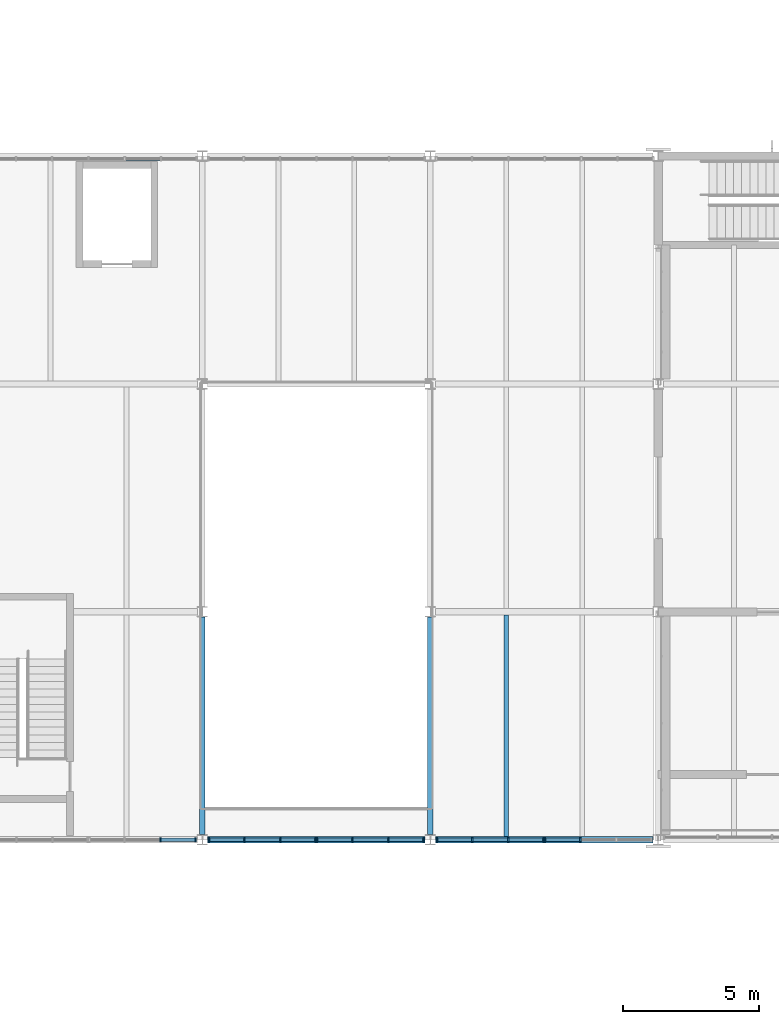
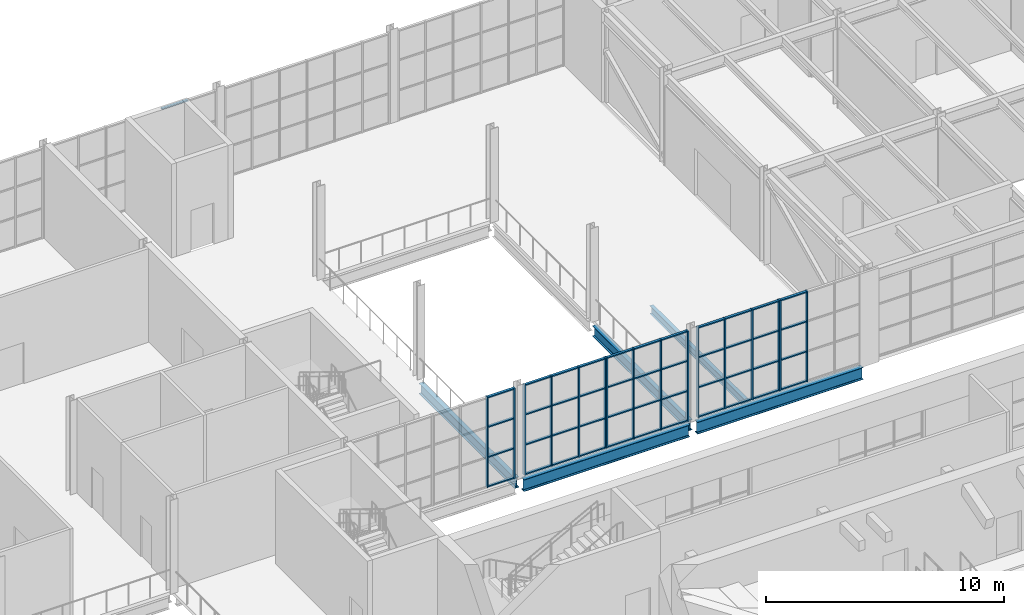
# One storey, part 41 of 127: 61 members, 5 beams, 6 elements without a shape of their own.
"""IFC4 building model written with IfcOpenShell, lengths in metres."""

from ifc_helpers import new_model, si_unit, direction, frame, origin, origin_2d, place, context, subcontext, project, spatial, rectangle, i_section, extrude, material, material_profile, profile_set, type_object, element, aggregate, save


model = new_model("IFC4")

# Units and contexts
model_context = context("Model", 3, precision=1e-05, world=origin(), true_north=direction((0.0, 1.0)))
body_context = subcontext(model_context, "Body", "Model", "MODEL_VIEW")
ifc_project = project(units=[si_unit("LENGTHUNIT", "METRE"), si_unit("AREAUNIT", "SQUARE_METRE"), si_unit("VOLUMEUNIT", "CUBIC_METRE"), si_unit("PLANEANGLEUNIT", "RADIAN"), si_unit("MASSUNIT", "GRAM", prefix="KILO")], contexts=[model_context])

# Site, building, storey
site_placement = place(None, origin())
site = spatial("IfcSite", under=ifc_project, at=site_placement, CompositionType="ELEMENT")
building_placement = place(site_placement, origin())
building = spatial("IfcBuilding", under=site, at=building_placement, Name="Ljudholm Concert House", CompositionType="ELEMENT")
storey_placement = place(building_placement, frame((0.0, 0.0, 5.39990234375)))
storey = spatial("IfcBuildingStorey", under=building, at=storey_placement, Name="L01", CompositionType="ELEMENT", Elevation=5.39990234375)

# Curtain wall, members
ifc_material_1 = material(Name="Aluminium curtain wall with impact-rated laminated glass", Category="aluminium")
curtain_wall_type = type_object("IfcCurtainWallType", Name="CURTAIN WALL 1400", PredefinedType="NOTDEFINED", material=ifc_material_1)
curtain_wall_1_placement = place(storey_placement, origin())
curtain_wall_1 = element("IfcCurtainWall", 1, at=curtain_wall_1_placement, inside=storey, type_object=curtain_wall_type, Name="Winter garden curtain wall", PredefinedType="NOTDEFINED")
ifc_material_2 = material(Name="Aluminium extrusion", Category="aluminium")
ifc_material_profile_1 = material_profile(ifc_material_2, rectangle(XDim=0.159912109375, YDim=0.06005859375, at=origin_2d()), Name="MULLION 60x160")
ifc_profile_set_1 = profile_set([ifc_material_profile_1], Name="Aluminium extrusion")
member_type_1 = type_object("IfcMemberType", Name="MULLION 60x160", PredefinedType="MULLION", material=ifc_profile_set_1)
member_1_placement = place(storey_placement, frame((36.05322265625, 104.800048828125, 0.0), z_axis=(0.0, 0.0, 1.0), x_axis=(0.0, 1.0, 0.0)))
member_1 = element("IfcMember", 2, at=member_1_placement, type_object=member_type_1, Name="Mullion", PredefinedType="MULLION", context=body_context, shape_type="SweptSolid", body=[
    extrude(rectangle(XDim=0.159912109375, YDim=0.06005859375, at=origin_2d()), origin(), (0.0, 0.0, 1.0), 4.6201171875),
])
member_2_placement = place(storey_placement, frame((37.35009765625, 104.800048828125, 0.0), z_axis=(0.0, 0.0, 1.0), x_axis=(0.0, 1.0, 0.0)))
member_2 = element("IfcMember", 3, at=member_2_placement, type_object=member_type_1, Name="Mullion", PredefinedType="MULLION", context=body_context, shape_type="SweptSolid", body=[
    extrude(rectangle(XDim=0.159912109375, YDim=0.06005859375, at=origin_2d()), origin(), (0.0, 0.0, 1.0), 4.6201171875),
])

curtain_wall_2_placement = place(storey_placement, origin())
curtain_wall_2 = element("IfcCurtainWall", 4, at=curtain_wall_2_placement, inside=storey, type_object=curtain_wall_type, Name="Winter garden curtain wall", PredefinedType="NOTDEFINED")
member_3_placement = place(storey_placement, frame((37.85009765625, 104.800048828125, 0.0), z_axis=(0.0, 0.0, 1.0), x_axis=(0.0, 1.0, 0.0)))
member_3 = element("IfcMember", 5, at=member_3_placement, type_object=member_type_1, Name="Mullion", PredefinedType="MULLION", context=body_context, shape_type="SweptSolid", body=[
    extrude(rectangle(XDim=0.159912109375, YDim=0.06005859375, at=origin_2d()), origin(), (0.0, 0.0, 1.0), 4.6201171875),
])
member_4_placement = place(storey_placement, frame((39.146728515625, 104.800048828125, 0.0), z_axis=(0.0, 0.0, 1.0), x_axis=(0.0, 1.0, 0.0)))
member_4 = element("IfcMember", 6, at=member_4_placement, type_object=member_type_1, Name="Mullion", PredefinedType="MULLION", context=body_context, shape_type="SweptSolid", body=[
    extrude(rectangle(XDim=0.159912109375, YDim=0.06005859375, at=origin_2d()), origin(), (0.0, 0.0, 1.0), 4.6201171875),
])
member_5_placement = place(storey_placement, frame((40.473388671875, 104.800048828125, 0.0), z_axis=(0.0, 0.0, 1.0), x_axis=(0.0, 1.0, 0.0)))
member_5 = element("IfcMember", 7, at=member_5_placement, type_object=member_type_1, Name="Mullion", PredefinedType="MULLION", context=body_context, shape_type="SweptSolid", body=[
    extrude(rectangle(XDim=0.159912109375, YDim=0.06005859375, at=origin_2d()), origin(), (0.0, 0.0, 1.0), 4.6201171875),
])
member_6_placement = place(storey_placement, frame((41.77001953125, 104.800048828125, 0.0), z_axis=(0.0, 0.0, 1.0), x_axis=(0.0, 1.0, 0.0)))
member_6 = element("IfcMember", 8, at=member_6_placement, type_object=member_type_1, Name="Mullion", PredefinedType="MULLION", context=body_context, shape_type="SweptSolid", body=[
    extrude(rectangle(XDim=0.159912109375, YDim=0.06005859375, at=origin_2d()), origin(), (0.0, 0.0, 1.0), 4.6201171875),
])

curtain_wall_3_placement = place(storey_placement, origin())
curtain_wall_3 = element("IfcCurtainWall", 9, at=curtain_wall_3_placement, inside=storey, type_object=curtain_wall_type, Name="Winter garden curtain wall", PredefinedType="NOTDEFINED")
member_7_placement = place(storey_placement, frame((41.830078125, 104.800048828125, 0.0), z_axis=(0.0, 0.0, 1.0), x_axis=(0.0, 1.0, 0.0)))
member_7 = element("IfcMember", 10, at=member_7_placement, type_object=member_type_1, Name="Mullion", PredefinedType="MULLION", context=body_context, shape_type="SweptSolid", body=[
    extrude(rectangle(XDim=0.159912109375, YDim=0.06005859375, at=origin_2d()), origin(), (0.0, 0.0, 1.0), 4.6201171875),
])
member_8_placement = place(storey_placement, frame((43.126708984375, 104.800048828125, 0.0), z_axis=(0.0, 0.0, 1.0), x_axis=(0.0, 1.0, 0.0)))
member_8 = element("IfcMember", 11, at=member_8_placement, type_object=member_type_1, Name="Mullion", PredefinedType="MULLION", context=body_context, shape_type="SweptSolid", body=[
    extrude(rectangle(XDim=0.159912109375, YDim=0.06005859375, at=origin_2d()), origin(), (0.0, 0.0, 1.0), 4.6201171875),
])
member_9_placement = place(storey_placement, frame((44.453369140625, 104.800048828125, 0.0), z_axis=(0.0, 0.0, 1.0), x_axis=(0.0, 1.0, 0.0)))
member_9 = element("IfcMember", 12, at=member_9_placement, type_object=member_type_1, Name="Mullion", PredefinedType="MULLION", context=body_context, shape_type="SweptSolid", body=[
    extrude(rectangle(XDim=0.159912109375, YDim=0.06005859375, at=origin_2d()), origin(), (0.0, 0.0, 1.0), 4.6201171875),
])
member_10_placement = place(storey_placement, frame((45.75, 104.800048828125, 0.0), z_axis=(0.0, 0.0, 1.0), x_axis=(0.0, 1.0, 0.0)))
member_10 = element("IfcMember", 13, at=member_10_placement, type_object=member_type_1, Name="Mullion", PredefinedType="MULLION", context=body_context, shape_type="SweptSolid", body=[
    extrude(rectangle(XDim=0.159912109375, YDim=0.06005859375, at=origin_2d()), origin(), (0.0, 0.0, 1.0), 4.6201171875),
])

curtain_wall_4_placement = place(storey_placement, origin())
curtain_wall_4 = element("IfcCurtainWall", 14, at=curtain_wall_4_placement, inside=storey, type_object=curtain_wall_type, Name="Winter garden curtain wall", PredefinedType="NOTDEFINED")
member_11_placement = place(storey_placement, frame((46.25, 104.800048828125, 0.0), z_axis=(0.0, 0.0, 1.0), x_axis=(0.0, 1.0, 0.0)))
member_11 = element("IfcMember", 15, at=member_11_placement, type_object=member_type_1, Name="Mullion", PredefinedType="MULLION", context=body_context, shape_type="SweptSolid", body=[
    extrude(rectangle(XDim=0.159912109375, YDim=0.06005859375, at=origin_2d()), origin(), (0.0, 0.0, 1.0), 4.6201171875),
])
member_12_placement = place(storey_placement, frame((47.546630859375, 104.800048828125, 0.0), z_axis=(0.0, 0.0, 1.0), x_axis=(0.0, 1.0, 0.0)))
member_12 = element("IfcMember", 16, at=member_12_placement, type_object=member_type_1, Name="Mullion", PredefinedType="MULLION", context=body_context, shape_type="SweptSolid", body=[
    extrude(rectangle(XDim=0.159912109375, YDim=0.06005859375, at=origin_2d()), origin(), (0.0, 0.0, 1.0), 4.6201171875),
])
member_13_placement = place(storey_placement, frame((48.873291015625, 104.800048828125, 0.0), z_axis=(0.0, 0.0, 1.0), x_axis=(0.0, 1.0, 0.0)))
member_13 = element("IfcMember", 17, at=member_13_placement, type_object=member_type_1, Name="Mullion", PredefinedType="MULLION", context=body_context, shape_type="SweptSolid", body=[
    extrude(rectangle(XDim=0.159912109375, YDim=0.06005859375, at=origin_2d()), origin(), (0.0, 0.0, 1.0), 4.6201171875),
])
member_14_placement = place(storey_placement, frame((50.169921875, 104.800048828125, 0.0), z_axis=(0.0, 0.0, 1.0), x_axis=(0.0, 1.0, 0.0)))
member_14 = element("IfcMember", 18, at=member_14_placement, type_object=member_type_1, Name="Mullion", PredefinedType="MULLION", context=body_context, shape_type="SweptSolid", body=[
    extrude(rectangle(XDim=0.159912109375, YDim=0.06005859375, at=origin_2d()), origin(), (0.0, 0.0, 1.0), 4.6201171875),
])

curtain_wall_5_placement = place(storey_placement, origin())
curtain_wall_5 = element("IfcCurtainWall", 19, at=curtain_wall_5_placement, inside=storey, type_object=curtain_wall_type, Name="Winter garden curtain wall", PredefinedType="NOTDEFINED")
member_15_placement = place(storey_placement, frame((50.22998046875, 104.800048828125, 0.0), z_axis=(0.0, 0.0, 1.0), x_axis=(0.0, 1.0, 0.0)))
member_15 = element("IfcMember", 20, at=member_15_placement, type_object=member_type_1, Name="Mullion", PredefinedType="MULLION", context=body_context, shape_type="SweptSolid", body=[
    extrude(rectangle(XDim=0.159912109375, YDim=0.06005859375, at=origin_2d()), origin(), (0.0, 0.0, 1.0), 4.6201171875),
])
member_16_placement = place(storey_placement, frame((51.526611328125, 104.800048828125, 0.0), z_axis=(0.0, 0.0, 1.0), x_axis=(0.0, 1.0, 0.0)))
member_16 = element("IfcMember", 21, at=member_16_placement, type_object=member_type_1, Name="Mullion", PredefinedType="MULLION", context=body_context, shape_type="SweptSolid", body=[
    extrude(rectangle(XDim=0.159912109375, YDim=0.06005859375, at=origin_2d()), origin(), (0.0, 0.0, 1.0), 4.6201171875),
])

# Beams
ifc_material_3 = material(Name="Steel ASTM A992", Category="steel")
ifc_material_profile_2 = material_profile(ifc_material_3, i_section(OverallWidth=0.177734375, OverallDepth=0.406494140625, WebThickness=0.0078125, FlangeThickness=0.012939453125, FilletRadius=0.01025390625, at=origin_2d()), Name="W16X40")
ifc_profile_set_2 = profile_set([ifc_material_profile_2], Name="Steel ASTM A992")
beam_type_1 = type_object("IfcBeamType", Name="STEEL BEAM W16X40", PredefinedType="BEAM", material=ifc_profile_set_2)
beam_placement = place(storey_placement, frame((48.800048828125, 104.91455078125, -0.383056640625), z_axis=(0.0, 1.0, 0.0), x_axis=(-1.0, 0.0, 0.0)))
element("IfcBeam", 22, at=beam_placement, inside=storey, type_object=beam_type_1, Name="Secondary beam", PredefinedType="BEAM", context=body_context, shape_type="SweptSolid", body=[
    extrude(i_section(OverallWidth=0.177734375, OverallDepth=0.406494140625, WebThickness=0.0078125, FlangeThickness=0.012939453125, FilletRadius=0.01025390625, at=origin_2d()), origin(), (0.0, 0.0, 1.0), 8.1708984375),
])
ifc_material_4 = material(Name="Steel ASTM A992", Category="steel")
ifc_material_profile_3 = material_profile(ifc_material_4, i_section(OverallWidth=0.209228515625, OverallDepth=0.533447265625, WebThickness=0.01025390625, FlangeThickness=0.015625, FilletRadius=0.012939453125, at=origin_2d()), Name="W21X62")
ifc_profile_set_3 = profile_set([ifc_material_profile_3], Name="Steel ASTM A992")
beam_type_2 = type_object("IfcBeamType", Name="STEEL BEAM W21X62", PredefinedType="BEAM", material=ifc_profile_set_3)
for number, where, z_axis, x_axis, name in (
    (23, (37.60009765625, 104.986572265625, -0.446533203125), (0.0, 1.0, 0.0), (-1.0, 0.0, 0.0), "Floor edge beam"),
    (24, (46.0, 104.986572265625, -0.446533203125), (0.0, 1.0, 0.0), (-1.0, 0.0, 0.0), "Floor edge beam"),
):
    element("IfcBeam", number, at=place(storey_placement, frame(where, z_axis=z_axis, x_axis=x_axis)), inside=storey, type_object=beam_type_2, Name=name, PredefinedType="BEAM", context=body_context, shape_type="SweptSolid", body=[
        extrude(i_section(OverallWidth=0.209228515625, OverallDepth=0.533447265625, WebThickness=0.01025390625, FlangeThickness=0.015625, FilletRadius=0.012939453125, at=origin_2d()), origin(), (0.0, 0.0, 1.0), 8.02685546875),
    ])
ifc_material_5 = material(Name="Steel ASTM A992", Category="steel")
ifc_material_profile_4 = material_profile(ifc_material_5, i_section(OverallWidth=0.22900390625, OverallDepth=0.612060546875, WebThickness=0.011962890625, FlangeThickness=0.01953125, FilletRadius=0.0126953125, at=origin_2d()), Name="W24X84")
ifc_profile_set_4 = profile_set([ifc_material_profile_4], Name="Steel ASTM A992")
beam_type_3 = type_object("IfcBeamType", Name="STEEL BEAM W24X84", PredefinedType="BEAM", material=ifc_profile_set_4)
for number, where, z_axis, x_axis, name in (
    (25, (37.78662109375, 104.800048828125, -0.486083984375), (1.0, 0.0, 0.0), (0.0, 1.0, 0.0), "Floor girder"),
    (26, (46.186767578125, 104.800048828125, -0.486083984375), (1.0, 0.0, 0.0), (0.0, 1.0, 0.0), "Floor girder"),
):
    element("IfcBeam", number, at=place(storey_placement, frame(where, z_axis=z_axis, x_axis=x_axis)), inside=storey, type_object=beam_type_3, Name=name, PredefinedType="BEAM", context=body_context, shape_type="SweptSolid", body=[
        extrude(i_section(OverallWidth=0.22900390625, OverallDepth=0.612060546875, WebThickness=0.011962890625, FlangeThickness=0.01953125, FilletRadius=0.0126953125, at=origin_2d()), origin(), (0.0, 0.0, 1.0), 8.026611328125),
    ])

# Curtain wall, member
curtain_wall_6_placement = place(storey_placement, origin())
curtain_wall_6 = element("IfcCurtainWall", 27, at=curtain_wall_6_placement, inside=storey, type_object=curtain_wall_type, Name="North curtain wall", PredefinedType="NOTDEFINED")
ifc_material_6 = material(Name="Aluminium extrusion", Category="aluminium")
ifc_material_profile_5 = material_profile(ifc_material_6, rectangle(XDim=0.1201171875, YDim=0.06005859375, at=origin_2d()), Name="TRANSOM 60x120")
ifc_profile_set_5 = profile_set([ifc_material_profile_5], Name="Aluminium extrusion")
member_type_2 = type_object("IfcMemberType", Name="TRANSOM 60x120", PredefinedType="USERDEFINED", material=ifc_profile_set_5)
member_17_placement = place(storey_placement, frame((34.7666015625, 129.89990234375, 4.590087890625), z_axis=(1.0, 0.0, 0.0), x_axis=(0.0, 1.0, 0.0)))
member_17 = element("IfcMember", 28, at=member_17_placement, type_object=member_type_2, Name="Transom", ObjectType="TRANSOM", PredefinedType="USERDEFINED", context=body_context, shape_type="SweptSolid", body=[
    extrude(rectangle(XDim=0.1201171875, YDim=0.06005859375, at=origin_2d()), origin(), (0.0, 0.0, 1.0), 1.276611328125),
])
aggregate(curtain_wall_6, [member_17])

# Member
member_18_placement = place(storey_placement, frame((36.083251953125, 104.800048828125, 0.030029296875), z_axis=(1.0, 0.0, 0.0), x_axis=(0.0, 1.0, 0.0)))
member_18 = element("IfcMember", 29, at=member_18_placement, type_object=member_type_2, Name="Transom", ObjectType="TRANSOM", PredefinedType="USERDEFINED", context=body_context, shape_type="SweptSolid", body=[
    extrude(rectangle(XDim=0.1201171875, YDim=0.06005859375, at=origin_2d()), origin(), (0.0, 0.0, 1.0), 1.23681640625),
])

member_19_placement = place(storey_placement, frame((36.083251953125, 104.800048828125, 1.5400390625), z_axis=(1.0, 0.0, 0.0), x_axis=(0.0, 1.0, 0.0)))
member_19 = element("IfcMember", 30, at=member_19_placement, type_object=member_type_2, Name="Transom", ObjectType="TRANSOM", PredefinedType="USERDEFINED", context=body_context, shape_type="SweptSolid", body=[
    extrude(rectangle(XDim=0.1201171875, YDim=0.06005859375, at=origin_2d()), origin(), (0.0, 0.0, 1.0), 1.23681640625),
])

member_20_placement = place(storey_placement, frame((36.083251953125, 104.800048828125, 3.080078125), z_axis=(1.0, 0.0, 0.0), x_axis=(0.0, 1.0, 0.0)))
member_20 = element("IfcMember", 31, at=member_20_placement, type_object=member_type_2, Name="Transom", ObjectType="TRANSOM", PredefinedType="USERDEFINED", context=body_context, shape_type="SweptSolid", body=[
    extrude(rectangle(XDim=0.1201171875, YDim=0.06005859375, at=origin_2d()), origin(), (0.0, 0.0, 1.0), 1.23681640625),
])

member_21_placement = place(storey_placement, frame((36.083251953125, 104.800048828125, 4.590087890625), z_axis=(1.0, 0.0, 0.0), x_axis=(0.0, 1.0, 0.0)))
member_21 = element("IfcMember", 32, at=member_21_placement, type_object=member_type_2, Name="Transom", ObjectType="TRANSOM", PredefinedType="USERDEFINED", context=body_context, shape_type="SweptSolid", body=[
    extrude(rectangle(XDim=0.1201171875, YDim=0.06005859375, at=origin_2d()), origin(), (0.0, 0.0, 1.0), 1.23681640625),
])

aggregate(curtain_wall_1, [member_1, member_2, member_18, member_19, member_20, member_21])

member_22_placement = place(storey_placement, frame((37.8798828125, 104.800048828125, 0.030029296875), z_axis=(1.0, 0.0, 0.0), x_axis=(0.0, 1.0, 0.0)))
member_22 = element("IfcMember", 33, at=member_22_placement, type_object=member_type_2, Name="Transom", ObjectType="TRANSOM", PredefinedType="USERDEFINED", context=body_context, shape_type="SweptSolid", body=[
    extrude(rectangle(XDim=0.1201171875, YDim=0.06005859375, at=origin_2d()), origin(), (0.0, 0.0, 1.0), 1.23681640625),
])

member_23_placement = place(storey_placement, frame((37.8798828125, 104.800048828125, 1.5400390625), z_axis=(1.0, 0.0, 0.0), x_axis=(0.0, 1.0, 0.0)))
member_23 = element("IfcMember", 34, at=member_23_placement, type_object=member_type_2, Name="Transom", ObjectType="TRANSOM", PredefinedType="USERDEFINED", context=body_context, shape_type="SweptSolid", body=[
    extrude(rectangle(XDim=0.1201171875, YDim=0.06005859375, at=origin_2d()), origin(), (0.0, 0.0, 1.0), 1.23681640625),
])

member_24_placement = place(storey_placement, frame((37.8798828125, 104.800048828125, 3.080078125), z_axis=(1.0, 0.0, 0.0), x_axis=(0.0, 1.0, 0.0)))
member_24 = element("IfcMember", 35, at=member_24_placement, type_object=member_type_2, Name="Transom", ObjectType="TRANSOM", PredefinedType="USERDEFINED", context=body_context, shape_type="SweptSolid", body=[
    extrude(rectangle(XDim=0.1201171875, YDim=0.06005859375, at=origin_2d()), origin(), (0.0, 0.0, 1.0), 1.23681640625),
])

member_25_placement = place(storey_placement, frame((37.8798828125, 104.800048828125, 4.590087890625), z_axis=(1.0, 0.0, 0.0), x_axis=(0.0, 1.0, 0.0)))
member_25 = element("IfcMember", 36, at=member_25_placement, type_object=member_type_2, Name="Transom", ObjectType="TRANSOM", PredefinedType="USERDEFINED", context=body_context, shape_type="SweptSolid", body=[
    extrude(rectangle(XDim=0.1201171875, YDim=0.06005859375, at=origin_2d()), origin(), (0.0, 0.0, 1.0), 1.23681640625),
])

member_26_placement = place(storey_placement, frame((39.1767578125, 104.800048828125, 0.030029296875), z_axis=(1.0, 0.0, 0.0), x_axis=(0.0, 1.0, 0.0)))
member_26 = element("IfcMember", 37, at=member_26_placement, type_object=member_type_2, Name="Transom", ObjectType="TRANSOM", PredefinedType="USERDEFINED", context=body_context, shape_type="SweptSolid", body=[
    extrude(rectangle(XDim=0.1201171875, YDim=0.06005859375, at=origin_2d()), origin(), (0.0, 0.0, 1.0), 1.2666015625),
])

member_27_placement = place(storey_placement, frame((39.1767578125, 104.800048828125, 1.5400390625), z_axis=(1.0, 0.0, 0.0), x_axis=(0.0, 1.0, 0.0)))
member_27 = element("IfcMember", 38, at=member_27_placement, type_object=member_type_2, Name="Transom", ObjectType="TRANSOM", PredefinedType="USERDEFINED", context=body_context, shape_type="SweptSolid", body=[
    extrude(rectangle(XDim=0.1201171875, YDim=0.06005859375, at=origin_2d()), origin(), (0.0, 0.0, 1.0), 1.2666015625),
])

member_28_placement = place(storey_placement, frame((39.1767578125, 104.800048828125, 3.080078125), z_axis=(1.0, 0.0, 0.0), x_axis=(0.0, 1.0, 0.0)))
member_28 = element("IfcMember", 39, at=member_28_placement, type_object=member_type_2, Name="Transom", ObjectType="TRANSOM", PredefinedType="USERDEFINED", context=body_context, shape_type="SweptSolid", body=[
    extrude(rectangle(XDim=0.1201171875, YDim=0.06005859375, at=origin_2d()), origin(), (0.0, 0.0, 1.0), 1.2666015625),
])

member_29_placement = place(storey_placement, frame((39.1767578125, 104.800048828125, 4.590087890625), z_axis=(1.0, 0.0, 0.0), x_axis=(0.0, 1.0, 0.0)))
member_29 = element("IfcMember", 40, at=member_29_placement, type_object=member_type_2, Name="Transom", ObjectType="TRANSOM", PredefinedType="USERDEFINED", context=body_context, shape_type="SweptSolid", body=[
    extrude(rectangle(XDim=0.1201171875, YDim=0.06005859375, at=origin_2d()), origin(), (0.0, 0.0, 1.0), 1.2666015625),
])

member_30_placement = place(storey_placement, frame((40.50341796875, 104.800048828125, 0.030029296875), z_axis=(1.0, 0.0, 0.0), x_axis=(0.0, 1.0, 0.0)))
member_30 = element("IfcMember", 41, at=member_30_placement, type_object=member_type_2, Name="Transom", ObjectType="TRANSOM", PredefinedType="USERDEFINED", context=body_context, shape_type="SweptSolid", body=[
    extrude(rectangle(XDim=0.1201171875, YDim=0.06005859375, at=origin_2d()), origin(), (0.0, 0.0, 1.0), 1.236572265625),
])

member_31_placement = place(storey_placement, frame((40.50341796875, 104.800048828125, 1.5400390625), z_axis=(1.0, 0.0, 0.0), x_axis=(0.0, 1.0, 0.0)))
member_31 = element("IfcMember", 42, at=member_31_placement, type_object=member_type_2, Name="Transom", ObjectType="TRANSOM", PredefinedType="USERDEFINED", context=body_context, shape_type="SweptSolid", body=[
    extrude(rectangle(XDim=0.1201171875, YDim=0.06005859375, at=origin_2d()), origin(), (0.0, 0.0, 1.0), 1.236572265625),
])

member_32_placement = place(storey_placement, frame((40.50341796875, 104.800048828125, 3.080078125), z_axis=(1.0, 0.0, 0.0), x_axis=(0.0, 1.0, 0.0)))
member_32 = element("IfcMember", 43, at=member_32_placement, type_object=member_type_2, Name="Transom", ObjectType="TRANSOM", PredefinedType="USERDEFINED", context=body_context, shape_type="SweptSolid", body=[
    extrude(rectangle(XDim=0.1201171875, YDim=0.06005859375, at=origin_2d()), origin(), (0.0, 0.0, 1.0), 1.236572265625),
])

member_33_placement = place(storey_placement, frame((40.50341796875, 104.800048828125, 4.590087890625), z_axis=(1.0, 0.0, 0.0), x_axis=(0.0, 1.0, 0.0)))
member_33 = element("IfcMember", 44, at=member_33_placement, type_object=member_type_2, Name="Transom", ObjectType="TRANSOM", PredefinedType="USERDEFINED", context=body_context, shape_type="SweptSolid", body=[
    extrude(rectangle(XDim=0.1201171875, YDim=0.06005859375, at=origin_2d()), origin(), (0.0, 0.0, 1.0), 1.236572265625),
])

aggregate(curtain_wall_2, [member_3, member_4, member_5, member_6, member_22, member_23, member_24, member_25, member_26, member_27, member_28, member_29, member_30, member_31, member_32, member_33])

member_34_placement = place(storey_placement, frame((41.860107421875, 104.800048828125, 0.030029296875), z_axis=(1.0, 0.0, 0.0), x_axis=(0.0, 1.0, 0.0)))
member_34 = element("IfcMember", 45, at=member_34_placement, type_object=member_type_2, Name="Transom", ObjectType="TRANSOM", PredefinedType="USERDEFINED", context=body_context, shape_type="SweptSolid", body=[
    extrude(rectangle(XDim=0.1201171875, YDim=0.06005859375, at=origin_2d()), origin(), (0.0, 0.0, 1.0), 1.236572265625),
])

member_35_placement = place(storey_placement, frame((41.860107421875, 104.800048828125, 1.5400390625), z_axis=(1.0, 0.0, 0.0), x_axis=(0.0, 1.0, 0.0)))
member_35 = element("IfcMember", 46, at=member_35_placement, type_object=member_type_2, Name="Transom", ObjectType="TRANSOM", PredefinedType="USERDEFINED", context=body_context, shape_type="SweptSolid", body=[
    extrude(rectangle(XDim=0.1201171875, YDim=0.06005859375, at=origin_2d()), origin(), (0.0, 0.0, 1.0), 1.236572265625),
])

member_36_placement = place(storey_placement, frame((41.860107421875, 104.800048828125, 3.080078125), z_axis=(1.0, 0.0, 0.0), x_axis=(0.0, 1.0, 0.0)))
member_36 = element("IfcMember", 47, at=member_36_placement, type_object=member_type_2, Name="Transom", ObjectType="TRANSOM", PredefinedType="USERDEFINED", context=body_context, shape_type="SweptSolid", body=[
    extrude(rectangle(XDim=0.1201171875, YDim=0.06005859375, at=origin_2d()), origin(), (0.0, 0.0, 1.0), 1.236572265625),
])

member_37_placement = place(storey_placement, frame((41.860107421875, 104.800048828125, 4.590087890625), z_axis=(1.0, 0.0, 0.0), x_axis=(0.0, 1.0, 0.0)))
member_37 = element("IfcMember", 48, at=member_37_placement, type_object=member_type_2, Name="Transom", ObjectType="TRANSOM", PredefinedType="USERDEFINED", context=body_context, shape_type="SweptSolid", body=[
    extrude(rectangle(XDim=0.1201171875, YDim=0.06005859375, at=origin_2d()), origin(), (0.0, 0.0, 1.0), 1.236572265625),
])

member_38_placement = place(storey_placement, frame((43.15673828125, 104.800048828125, 0.030029296875), z_axis=(1.0, 0.0, 0.0), x_axis=(0.0, 1.0, 0.0)))
member_38 = element("IfcMember", 49, at=member_38_placement, type_object=member_type_2, Name="Transom", ObjectType="TRANSOM", PredefinedType="USERDEFINED", context=body_context, shape_type="SweptSolid", body=[
    extrude(rectangle(XDim=0.1201171875, YDim=0.06005859375, at=origin_2d()), origin(), (0.0, 0.0, 1.0), 1.2666015625),
])

member_39_placement = place(storey_placement, frame((43.15673828125, 104.800048828125, 1.5400390625), z_axis=(1.0, 0.0, 0.0), x_axis=(0.0, 1.0, 0.0)))
member_39 = element("IfcMember", 50, at=member_39_placement, type_object=member_type_2, Name="Transom", ObjectType="TRANSOM", PredefinedType="USERDEFINED", context=body_context, shape_type="SweptSolid", body=[
    extrude(rectangle(XDim=0.1201171875, YDim=0.06005859375, at=origin_2d()), origin(), (0.0, 0.0, 1.0), 1.2666015625),
])

member_40_placement = place(storey_placement, frame((43.15673828125, 104.800048828125, 3.080078125), z_axis=(1.0, 0.0, 0.0), x_axis=(0.0, 1.0, 0.0)))
member_40 = element("IfcMember", 51, at=member_40_placement, type_object=member_type_2, Name="Transom", ObjectType="TRANSOM", PredefinedType="USERDEFINED", context=body_context, shape_type="SweptSolid", body=[
    extrude(rectangle(XDim=0.1201171875, YDim=0.06005859375, at=origin_2d()), origin(), (0.0, 0.0, 1.0), 1.2666015625),
])

member_41_placement = place(storey_placement, frame((43.15673828125, 104.800048828125, 4.590087890625), z_axis=(1.0, 0.0, 0.0), x_axis=(0.0, 1.0, 0.0)))
member_41 = element("IfcMember", 52, at=member_41_placement, type_object=member_type_2, Name="Transom", ObjectType="TRANSOM", PredefinedType="USERDEFINED", context=body_context, shape_type="SweptSolid", body=[
    extrude(rectangle(XDim=0.1201171875, YDim=0.06005859375, at=origin_2d()), origin(), (0.0, 0.0, 1.0), 1.2666015625),
])

member_42_placement = place(storey_placement, frame((44.4833984375, 104.800048828125, 0.030029296875), z_axis=(1.0, 0.0, 0.0), x_axis=(0.0, 1.0, 0.0)))
member_42 = element("IfcMember", 53, at=member_42_placement, type_object=member_type_2, Name="Transom", ObjectType="TRANSOM", PredefinedType="USERDEFINED", context=body_context, shape_type="SweptSolid", body=[
    extrude(rectangle(XDim=0.1201171875, YDim=0.06005859375, at=origin_2d()), origin(), (0.0, 0.0, 1.0), 1.236572265625),
])

member_43_placement = place(storey_placement, frame((44.4833984375, 104.800048828125, 1.5400390625), z_axis=(1.0, 0.0, 0.0), x_axis=(0.0, 1.0, 0.0)))
member_43 = element("IfcMember", 54, at=member_43_placement, type_object=member_type_2, Name="Transom", ObjectType="TRANSOM", PredefinedType="USERDEFINED", context=body_context, shape_type="SweptSolid", body=[
    extrude(rectangle(XDim=0.1201171875, YDim=0.06005859375, at=origin_2d()), origin(), (0.0, 0.0, 1.0), 1.236572265625),
])

member_44_placement = place(storey_placement, frame((44.4833984375, 104.800048828125, 3.080078125), z_axis=(1.0, 0.0, 0.0), x_axis=(0.0, 1.0, 0.0)))
member_44 = element("IfcMember", 55, at=member_44_placement, type_object=member_type_2, Name="Transom", ObjectType="TRANSOM", PredefinedType="USERDEFINED", context=body_context, shape_type="SweptSolid", body=[
    extrude(rectangle(XDim=0.1201171875, YDim=0.06005859375, at=origin_2d()), origin(), (0.0, 0.0, 1.0), 1.236572265625),
])

member_45_placement = place(storey_placement, frame((44.4833984375, 104.800048828125, 4.590087890625), z_axis=(1.0, 0.0, 0.0), x_axis=(0.0, 1.0, 0.0)))
member_45 = element("IfcMember", 56, at=member_45_placement, type_object=member_type_2, Name="Transom", ObjectType="TRANSOM", PredefinedType="USERDEFINED", context=body_context, shape_type="SweptSolid", body=[
    extrude(rectangle(XDim=0.1201171875, YDim=0.06005859375, at=origin_2d()), origin(), (0.0, 0.0, 1.0), 1.236572265625),
])

aggregate(curtain_wall_3, [member_7, member_8, member_9, member_10, member_34, member_35, member_36, member_37, member_38, member_39, member_40, member_41, member_42, member_43, member_44, member_45])

member_46_placement = place(storey_placement, frame((46.280029296875, 104.800048828125, 0.030029296875), z_axis=(1.0, 0.0, 0.0), x_axis=(0.0, 1.0, 0.0)))
member_46 = element("IfcMember", 57, at=member_46_placement, type_object=member_type_2, Name="Transom", ObjectType="TRANSOM", PredefinedType="USERDEFINED", context=body_context, shape_type="SweptSolid", body=[
    extrude(rectangle(XDim=0.1201171875, YDim=0.06005859375, at=origin_2d()), origin(), (0.0, 0.0, 1.0), 1.236572265625),
])

member_47_placement = place(storey_placement, frame((46.280029296875, 104.800048828125, 1.5400390625), z_axis=(1.0, 0.0, 0.0), x_axis=(0.0, 1.0, 0.0)))
member_47 = element("IfcMember", 58, at=member_47_placement, type_object=member_type_2, Name="Transom", ObjectType="TRANSOM", PredefinedType="USERDEFINED", context=body_context, shape_type="SweptSolid", body=[
    extrude(rectangle(XDim=0.1201171875, YDim=0.06005859375, at=origin_2d()), origin(), (0.0, 0.0, 1.0), 1.236572265625),
])

member_48_placement = place(storey_placement, frame((46.280029296875, 104.800048828125, 3.080078125), z_axis=(1.0, 0.0, 0.0), x_axis=(0.0, 1.0, 0.0)))
member_48 = element("IfcMember", 59, at=member_48_placement, type_object=member_type_2, Name="Transom", ObjectType="TRANSOM", PredefinedType="USERDEFINED", context=body_context, shape_type="SweptSolid", body=[
    extrude(rectangle(XDim=0.1201171875, YDim=0.06005859375, at=origin_2d()), origin(), (0.0, 0.0, 1.0), 1.236572265625),
])

member_49_placement = place(storey_placement, frame((46.280029296875, 104.800048828125, 4.590087890625), z_axis=(1.0, 0.0, 0.0), x_axis=(0.0, 1.0, 0.0)))
member_49 = element("IfcMember", 60, at=member_49_placement, type_object=member_type_2, Name="Transom", ObjectType="TRANSOM", PredefinedType="USERDEFINED", context=body_context, shape_type="SweptSolid", body=[
    extrude(rectangle(XDim=0.1201171875, YDim=0.06005859375, at=origin_2d()), origin(), (0.0, 0.0, 1.0), 1.236572265625),
])

member_50_placement = place(storey_placement, frame((47.57666015625, 104.800048828125, 0.030029296875), z_axis=(1.0, 0.0, 0.0), x_axis=(0.0, 1.0, 0.0)))
member_50 = element("IfcMember", 61, at=member_50_placement, type_object=member_type_2, Name="Transom", ObjectType="TRANSOM", PredefinedType="USERDEFINED", context=body_context, shape_type="SweptSolid", body=[
    extrude(rectangle(XDim=0.1201171875, YDim=0.06005859375, at=origin_2d()), origin(), (0.0, 0.0, 1.0), 1.2666015625),
])

member_51_placement = place(storey_placement, frame((47.57666015625, 104.800048828125, 1.5400390625), z_axis=(1.0, 0.0, 0.0), x_axis=(0.0, 1.0, 0.0)))
member_51 = element("IfcMember", 62, at=member_51_placement, type_object=member_type_2, Name="Transom", ObjectType="TRANSOM", PredefinedType="USERDEFINED", context=body_context, shape_type="SweptSolid", body=[
    extrude(rectangle(XDim=0.1201171875, YDim=0.06005859375, at=origin_2d()), origin(), (0.0, 0.0, 1.0), 1.2666015625),
])

member_52_placement = place(storey_placement, frame((47.57666015625, 104.800048828125, 3.080078125), z_axis=(1.0, 0.0, 0.0), x_axis=(0.0, 1.0, 0.0)))
member_52 = element("IfcMember", 63, at=member_52_placement, type_object=member_type_2, Name="Transom", ObjectType="TRANSOM", PredefinedType="USERDEFINED", context=body_context, shape_type="SweptSolid", body=[
    extrude(rectangle(XDim=0.1201171875, YDim=0.06005859375, at=origin_2d()), origin(), (0.0, 0.0, 1.0), 1.2666015625),
])

member_53_placement = place(storey_placement, frame((47.57666015625, 104.800048828125, 4.590087890625), z_axis=(1.0, 0.0, 0.0), x_axis=(0.0, 1.0, 0.0)))
member_53 = element("IfcMember", 64, at=member_53_placement, type_object=member_type_2, Name="Transom", ObjectType="TRANSOM", PredefinedType="USERDEFINED", context=body_context, shape_type="SweptSolid", body=[
    extrude(rectangle(XDim=0.1201171875, YDim=0.06005859375, at=origin_2d()), origin(), (0.0, 0.0, 1.0), 1.2666015625),
])

member_54_placement = place(storey_placement, frame((48.9033203125, 104.800048828125, 0.030029296875), z_axis=(1.0, 0.0, 0.0), x_axis=(0.0, 1.0, 0.0)))
member_54 = element("IfcMember", 65, at=member_54_placement, type_object=member_type_2, Name="Transom", ObjectType="TRANSOM", PredefinedType="USERDEFINED", context=body_context, shape_type="SweptSolid", body=[
    extrude(rectangle(XDim=0.1201171875, YDim=0.06005859375, at=origin_2d()), origin(), (0.0, 0.0, 1.0), 1.236572265625),
])

member_55_placement = place(storey_placement, frame((48.9033203125, 104.800048828125, 1.5400390625), z_axis=(1.0, 0.0, 0.0), x_axis=(0.0, 1.0, 0.0)))
member_55 = element("IfcMember", 66, at=member_55_placement, type_object=member_type_2, Name="Transom", ObjectType="TRANSOM", PredefinedType="USERDEFINED", context=body_context, shape_type="SweptSolid", body=[
    extrude(rectangle(XDim=0.1201171875, YDim=0.06005859375, at=origin_2d()), origin(), (0.0, 0.0, 1.0), 1.236572265625),
])

member_56_placement = place(storey_placement, frame((48.9033203125, 104.800048828125, 3.080078125), z_axis=(1.0, 0.0, 0.0), x_axis=(0.0, 1.0, 0.0)))
member_56 = element("IfcMember", 67, at=member_56_placement, type_object=member_type_2, Name="Transom", ObjectType="TRANSOM", PredefinedType="USERDEFINED", context=body_context, shape_type="SweptSolid", body=[
    extrude(rectangle(XDim=0.1201171875, YDim=0.06005859375, at=origin_2d()), origin(), (0.0, 0.0, 1.0), 1.236572265625),
])

member_57_placement = place(storey_placement, frame((48.9033203125, 104.800048828125, 4.590087890625), z_axis=(1.0, 0.0, 0.0), x_axis=(0.0, 1.0, 0.0)))
member_57 = element("IfcMember", 68, at=member_57_placement, type_object=member_type_2, Name="Transom", ObjectType="TRANSOM", PredefinedType="USERDEFINED", context=body_context, shape_type="SweptSolid", body=[
    extrude(rectangle(XDim=0.1201171875, YDim=0.06005859375, at=origin_2d()), origin(), (0.0, 0.0, 1.0), 1.236572265625),
])

aggregate(curtain_wall_4, [member_11, member_12, member_13, member_14, member_46, member_47, member_48, member_49, member_50, member_51, member_52, member_53, member_54, member_55, member_56, member_57])

member_58_placement = place(storey_placement, frame((50.260009765625, 104.800048828125, 0.030029296875), z_axis=(1.0, 0.0, 0.0), x_axis=(0.0, 1.0, 0.0)))
member_58 = element("IfcMember", 69, at=member_58_placement, type_object=member_type_2, Name="Transom", ObjectType="TRANSOM", PredefinedType="USERDEFINED", context=body_context, shape_type="SweptSolid", body=[
    extrude(rectangle(XDim=0.1201171875, YDim=0.06005859375, at=origin_2d()), origin(), (0.0, 0.0, 1.0), 1.236572265625),
])

member_59_placement = place(storey_placement, frame((50.260009765625, 104.800048828125, 1.5400390625), z_axis=(1.0, 0.0, 0.0), x_axis=(0.0, 1.0, 0.0)))
member_59 = element("IfcMember", 70, at=member_59_placement, type_object=member_type_2, Name="Transom", ObjectType="TRANSOM", PredefinedType="USERDEFINED", context=body_context, shape_type="SweptSolid", body=[
    extrude(rectangle(XDim=0.1201171875, YDim=0.06005859375, at=origin_2d()), origin(), (0.0, 0.0, 1.0), 1.236572265625),
])

member_60_placement = place(storey_placement, frame((50.260009765625, 104.800048828125, 3.080078125), z_axis=(1.0, 0.0, 0.0), x_axis=(0.0, 1.0, 0.0)))
member_60 = element("IfcMember", 71, at=member_60_placement, type_object=member_type_2, Name="Transom", ObjectType="TRANSOM", PredefinedType="USERDEFINED", context=body_context, shape_type="SweptSolid", body=[
    extrude(rectangle(XDim=0.1201171875, YDim=0.06005859375, at=origin_2d()), origin(), (0.0, 0.0, 1.0), 1.236572265625),
])

member_61_placement = place(storey_placement, frame((50.260009765625, 104.800048828125, 4.590087890625), z_axis=(1.0, 0.0, 0.0), x_axis=(0.0, 1.0, 0.0)))
member_61 = element("IfcMember", 72, at=member_61_placement, type_object=member_type_2, Name="Transom", ObjectType="TRANSOM", PredefinedType="USERDEFINED", context=body_context, shape_type="SweptSolid", body=[
    extrude(rectangle(XDim=0.1201171875, YDim=0.06005859375, at=origin_2d()), origin(), (0.0, 0.0, 1.0), 1.236572265625),
])

aggregate(curtain_wall_5, [member_15, member_16, member_58, member_59, member_60, member_61])

save(model, "model.ifc")
